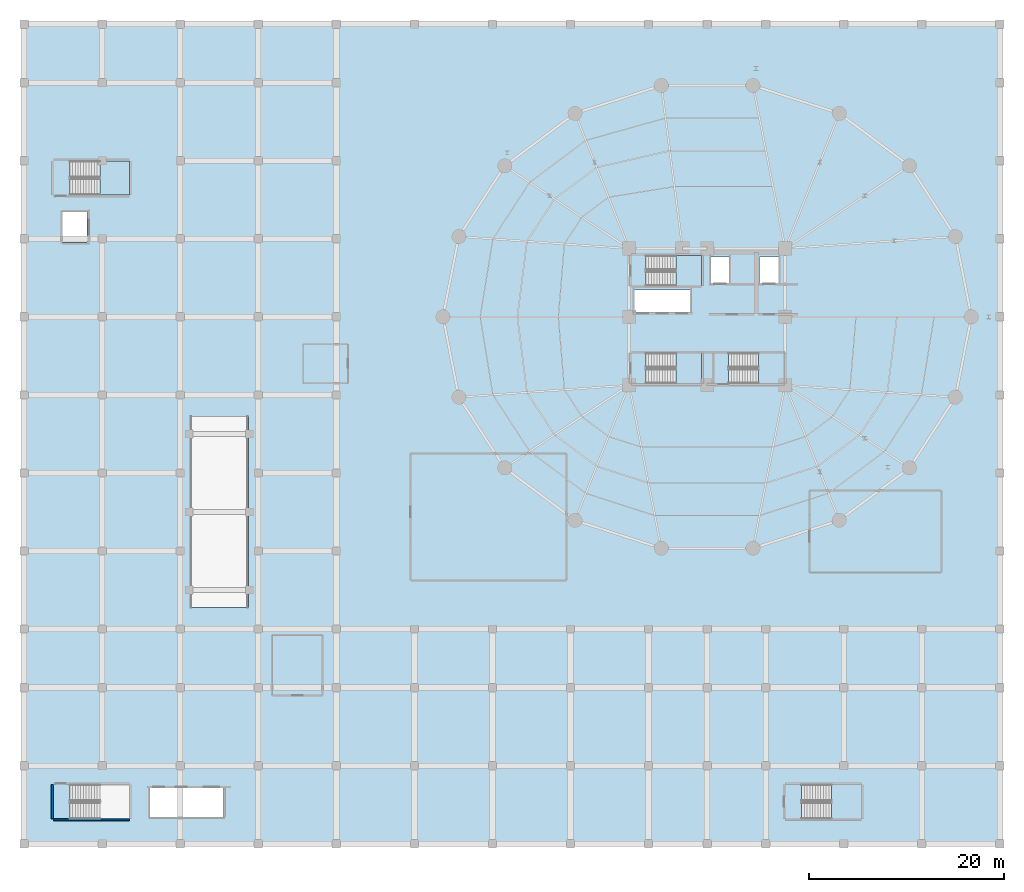
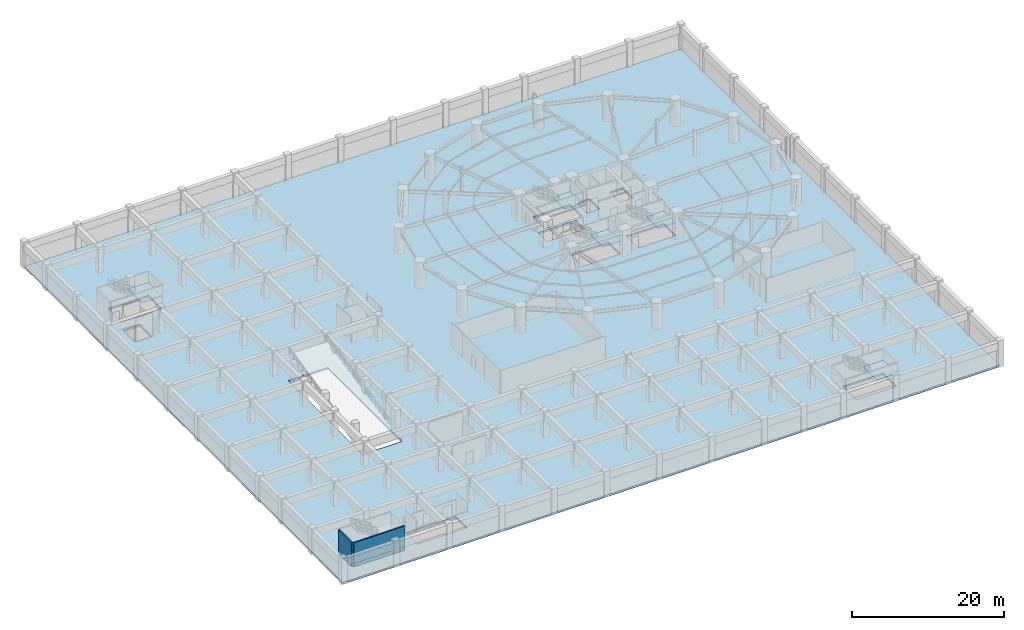
# One storey, part 8 of 20: 6 slabs, 2 walls, 5 elements without a shape of their own.
"""IFC4 building model written with IfcOpenShell, lengths in metres."""

from ifc_helpers import new_model, si_unit, direction, frame, frame_2d, origin, place, context, subcontext, project, spatial, polyline, rectangle, outline, extrude, material, layer, layer_set, type_object, element, aggregate, save


model = new_model("IFC4")

# Units and contexts
model_context = context("Model", 3, precision=1e-05, world=origin(), true_north=direction((0.0, 1.0)))
body_context = subcontext(model_context, "Body", "Model", "MODEL_VIEW")
ifc_project = project(units=[si_unit("LENGTHUNIT", "METRE"), si_unit("AREAUNIT", "SQUARE_METRE"), si_unit("VOLUMEUNIT", "CUBIC_METRE"), si_unit("PLANEANGLEUNIT", "RADIAN"), si_unit("MASSUNIT", "GRAM", prefix="KILO")], contexts=[model_context])

# Site, building, storey
site_placement = place(None, origin())
site = spatial("IfcSite", under=ifc_project, at=site_placement, CompositionType="ELEMENT")
building_placement = place(site_placement, origin())
building = spatial("IfcBuilding", under=site, at=building_placement, Name="Kelanora Arch Commons", CompositionType="ELEMENT")
storey_placement = place(building_placement, frame((0.0, 0.0, -4.199951171875)))
storey = spatial("IfcBuildingStorey", under=building, at=storey_placement, Name="B01", CompositionType="ELEMENT", Elevation=-4.199951171875)

# Slab
ifc_material = material(Name="Concrete C40/50", Category="concrete")
ifc_layer_1 = layer(ifc_material, 0.300048828125)
ifc_layer_set_1 = layer_set([ifc_layer_1], Name="Concrete C40/50")
slab_type_1 = type_object("IfcSlabType", Name="SLB-BSMT-SUSP", PredefinedType="FLOOR", material=ifc_layer_set_1)
slab_1_placement = place(storey_placement, frame((0.0, 0.0, -0.300048828125)))
element("IfcSlab", 1, at=slab_1_placement, inside=storey, type_object=slab_type_1, Name="Basement B01 Suspended Structural Slab", PredefinedType="FLOOR", context=body_context, shape_type="SweptSolid", body=[
    extrude(outline(polyline([(4.0, 4.0), (104.0, 4.0), (104.0, 88.0), (4.0, 88.0), (4.0, 4.0)]), holes=[polyline([(16.89990234375, 6.75), (16.89990234375, 9.699951171875), (24.449951171875, 9.699951171875), (24.449951171875, 6.75), (16.89990234375, 6.75)]), polyline([(8.68798828125, 10.06201171875), (14.7919921875, 10.06201171875), (14.7919921875, 6.568115234375), (8.68798828125, 6.568115234375), (8.68798828125, 10.06201171875)]), polyline([(21.0, 47.800048828125), (27.0, 47.800048828125), (27.0, 28.199951171875), (21.0, 28.199951171875), (21.0, 47.800048828125)]), polyline([(66.550048828125, 58.449951171875), (66.550048828125, 60.75), (72.25, 60.75), (72.25, 58.449951171875), (66.550048828125, 58.449951171875)]), polyline([(7.949951171875, 68.75), (10.449951171875, 68.75), (10.449951171875, 65.64990234375), (7.949951171875, 65.64990234375), (7.949951171875, 68.75)]), polyline([(8.68798828125, 73.98193359375), (14.7919921875, 73.98193359375), (14.7919921875, 70.488037109375), (8.68798828125, 70.488037109375), (8.68798828125, 73.98193359375)]), polyline([(83.68798828125, 6.568115234375), (83.68798828125, 10.06201171875), (89.7919921875, 10.06201171875), (89.7919921875, 6.568115234375), (83.68798828125, 6.568115234375)]), polyline([(67.72802734375, 54.281982421875), (73.431884765625, 54.281982421875), (73.431884765625, 51.18798828125), (67.72802734375, 51.18798828125), (67.72802734375, 54.281982421875)]), polyline([(76.2080078125, 54.281982421875), (81.912109375, 54.281982421875), (81.912109375, 51.18798828125), (76.2080078125, 51.18798828125), (76.2080078125, 54.281982421875)]), polyline([(67.72802734375, 61.18798828125), (67.72802734375, 64.281982421875), (73.431884765625, 64.281982421875), (73.431884765625, 61.18798828125), (67.72802734375, 61.18798828125)]), polyline([(74.3798828125, 64.1201171875), (76.260009765625, 64.1201171875), (76.260009765625, 61.47998046875), (74.3798828125, 61.47998046875), (74.3798828125, 64.1201171875)]), polyline([(79.3798828125, 64.1201171875), (81.320068359375, 64.1201171875), (81.320068359375, 61.47998046875), (79.3798828125, 61.47998046875), (79.3798828125, 64.1201171875)])]), origin(), (0.0, 0.0, 1.0), 0.300048828125),
])

# Stair, slab
stair_type = type_object("IfcStairType", Name="STR-DL-420", PredefinedType="HALF_TURN_STAIR", material=ifc_material)
stair_1_placement = place(storey_placement, origin())
stair_1 = element("IfcStair", 2, at=stair_1_placement, inside=storey, type_object=stair_type, Name="B01 ST-T1", PredefinedType="HALF_TURN_STAIR")
ifc_layer_2 = layer(ifc_material, 0.199951171875)
ifc_layer_set_2 = layer_set([ifc_layer_2], Name="Concrete C40/50")
slab_type_2 = type_object("IfcSlabType", Name="SLB-STAIR-LND", PredefinedType="LANDING", material=ifc_layer_set_2)
slab_2_placement = place(storey_placement, frame((0.0, 0.0, 1.89990234375)))
slab_2 = element("IfcSlab", 3, at=slab_2_placement, type_object=slab_type_2, Name="ST-T1 landing 1", PredefinedType="LANDING", context=body_context, shape_type="SweptSolid", body=[
    extrude(outline(polyline([(70.800048828125, 61.179931640625), (73.43994140625, 61.179931640625), (73.43994140625, 64.2900390625), (70.800048828125, 64.2900390625), (70.800048828125, 61.179931640625)])), origin(), (0.0, 0.0, 1.0), 0.199951171875),
])
aggregate(stair_1, [slab_2])

stair_2_placement = place(storey_placement, origin())
stair_2 = element("IfcStair", 4, at=stair_2_placement, inside=storey, type_object=stair_type, Name="B01 ST-T2", PredefinedType="HALF_TURN_STAIR")
slab_3_placement = place(storey_placement, frame((0.0, 0.0, 1.89990234375)))
slab_3 = element("IfcSlab", 5, at=slab_3_placement, type_object=slab_type_2, Name="ST-T2 landing 1", PredefinedType="LANDING", context=body_context, shape_type="SweptSolid", body=[
    extrude(outline(polyline([(79.280029296875, 51.179931640625), (81.919921875, 51.179931640625), (81.919921875, 54.2900390625), (79.280029296875, 54.2900390625), (79.280029296875, 51.179931640625)])), origin(), (0.0, 0.0, 1.0), 0.199951171875),
])
aggregate(stair_2, [slab_3])

stair_3_placement = place(storey_placement, origin())
stair_3 = element("IfcStair", 6, at=stair_3_placement, inside=storey, type_object=stair_type, Name="B01 ST-T3", PredefinedType="HALF_TURN_STAIR")
slab_4_placement = place(storey_placement, frame((0.0, 0.0, 1.89990234375)))
slab_4 = element("IfcSlab", 7, at=slab_4_placement, type_object=slab_type_2, Name="ST-T3 landing 1", PredefinedType="LANDING", context=body_context, shape_type="SweptSolid", body=[
    extrude(outline(polyline([(70.800048828125, 51.179931640625), (73.43994140625, 51.179931640625), (73.43994140625, 54.2900390625), (70.800048828125, 54.2900390625), (70.800048828125, 51.179931640625)])), origin(), (0.0, 0.0, 1.0), 0.199951171875),
])
aggregate(stair_3, [slab_4])

stair_4_placement = place(storey_placement, origin())
stair_4 = element("IfcStair", 8, at=stair_4_placement, inside=storey, type_object=stair_type, Name="B01 ST-M2", PredefinedType="HALF_TURN_STAIR")
slab_5_placement = place(storey_placement, frame((0.0, 0.0, 1.89990234375)))
slab_5 = element("IfcSlab", 9, at=slab_5_placement, type_object=slab_type_2, Name="ST-M2 landing 1", PredefinedType="LANDING", context=body_context, shape_type="SweptSolid", body=[
    extrude(outline(polyline([(86.760009765625, 6.56005859375), (89.800048828125, 6.56005859375), (89.800048828125, 10.070068359375), (86.760009765625, 10.070068359375), (86.760009765625, 6.56005859375)])), origin(), (0.0, 0.0, 1.0), 0.199951171875),
])
aggregate(stair_4, [slab_5])

stair_5_placement = place(storey_placement, origin())
stair_5 = element("IfcStair", 10, at=stair_5_placement, inside=storey, type_object=stair_type, Name="B01 ST-M3", PredefinedType="HALF_TURN_STAIR")
slab_6_placement = place(storey_placement, frame((0.0, 0.0, 1.89990234375)))
slab_6 = element("IfcSlab", 11, at=slab_6_placement, type_object=slab_type_2, Name="ST-M3 landing 1", PredefinedType="LANDING", context=body_context, shape_type="SweptSolid", body=[
    extrude(outline(polyline([(11.760009765625, 70.47998046875), (14.800048828125, 70.47998046875), (14.800048828125, 73.989990234375), (11.760009765625, 73.989990234375), (11.760009765625, 70.47998046875)])), origin(), (0.0, 0.0, 1.0), 0.199951171875),
])
aggregate(stair_5, [slab_6])

# Walls
ifc_layer_3 = layer(ifc_material, 0.199951171875)
ifc_layer_set_3 = layer_set([ifc_layer_3], Name="Concrete C40/50")
wall_type = type_object("IfcWallType", Name="W-STAIR-200", PredefinedType="SHEAR", material=ifc_layer_set_3)
wall_1_placement = place(storey_placement, frame((7.02001953125, 6.4599609375, 0.0), z_axis=(0.0, 0.0, 1.0), x_axis=(1.0, 0.0, 0.0)))
element("IfcWall", 12, at=wall_1_placement, inside=storey, type_object=wall_type, Name="Stair ST-M1 Shaft Wall S B01", PredefinedType="SHEAR", context=body_context, shape_type="SweptSolid", body=[
    extrude(rectangle(XDim=7.760009765625, YDim=0.199951171875, at=frame_2d((3.8798828125, 0.0))), origin(), (0.0, 0.0, 1.0), 3.8798828125),
])
wall_2_placement = place(storey_placement, frame((6.89990234375, 10.050048828125, 0.0), z_axis=(0.0, 0.0, 1.0), x_axis=(0.0, -1.0, 0.0)))
element("IfcWall", 13, at=wall_2_placement, inside=storey, type_object=wall_type, Name="Stair ST-M1 Shaft Wall W B01", PredefinedType="SHEAR", context=body_context, shape_type="SweptSolid", body=[
    extrude(rectangle(XDim=3.469970703125, YDim=0.199951171875, at=frame_2d((1.73486328125, 0.0))), origin(), (0.0, 0.0, 1.0), 3.8798828125),
])

save(model, "model.ifc")
